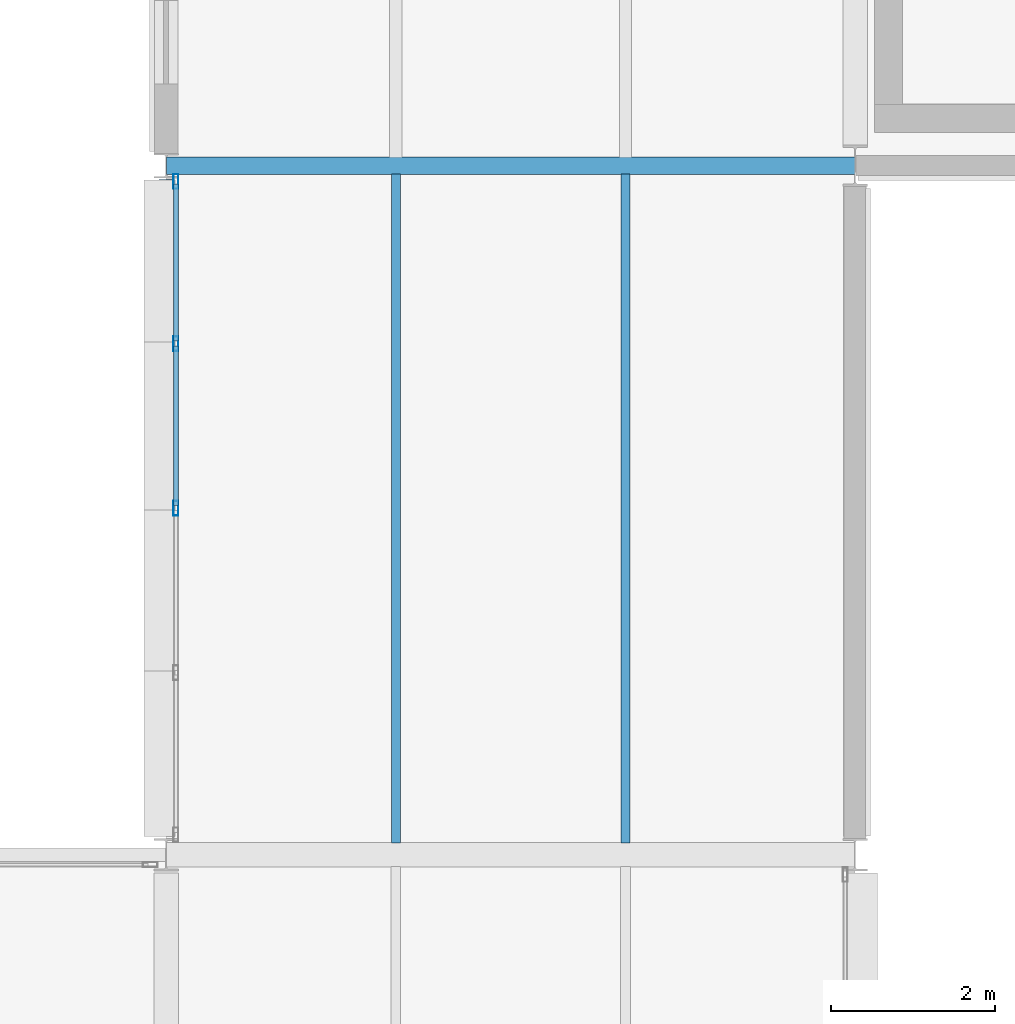
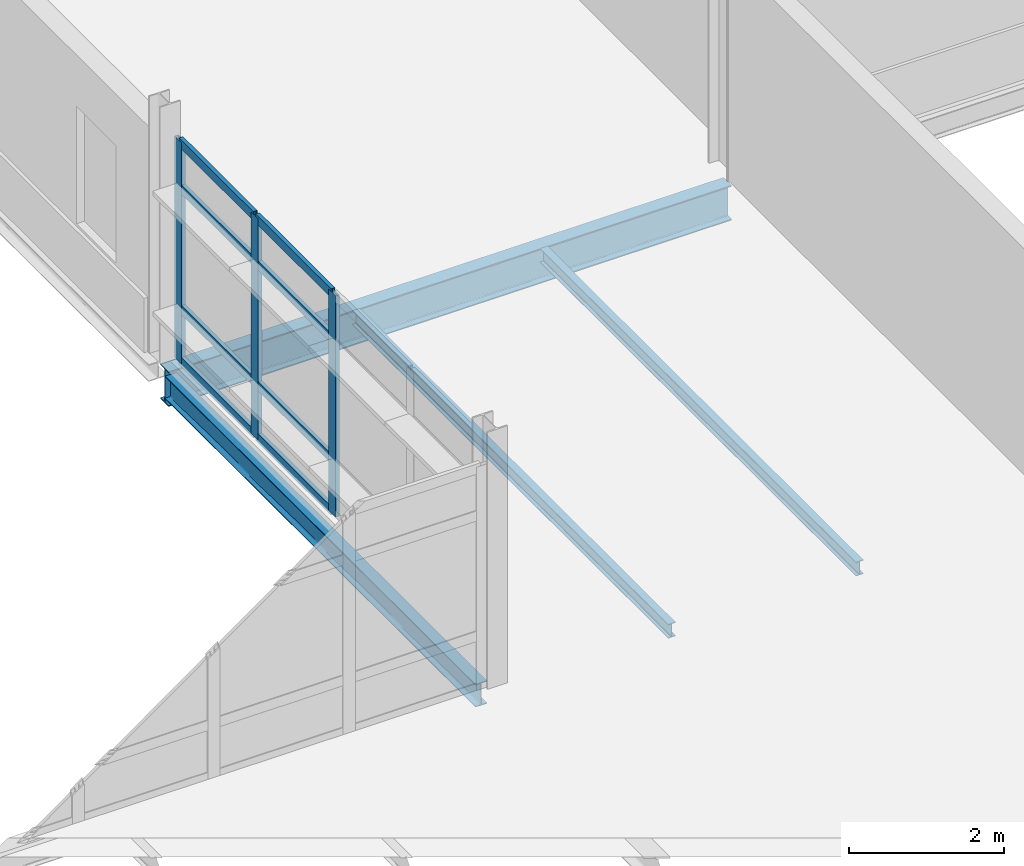
# One storey, part 48 of 151: 11 members, 4 beams, 1 element without a shape of its own.
"""IFC4 building model written with IfcOpenShell, lengths in metres."""

from ifc_helpers import new_model, si_unit, direction, frame, origin, origin_2d, place, context, subcontext, project, spatial, hollow_rectangle, i_section, extrude, material, material_profile, profile_set, type_object, element, aggregate, save


model = new_model("IFC4")

# Units and contexts
model_context = context("Model", 3, precision=1e-05, world=origin(), true_north=direction((0.0, 1.0)))
body_context = subcontext(model_context, "Body", "Model", "MODEL_VIEW")
ifc_project = project(units=[si_unit("LENGTHUNIT", "METRE"), si_unit("AREAUNIT", "SQUARE_METRE"), si_unit("VOLUMEUNIT", "CUBIC_METRE"), si_unit("PLANEANGLEUNIT", "RADIAN"), si_unit("MASSUNIT", "GRAM", prefix="KILO")], contexts=[model_context])

# Site, building, storey
site_placement = place(None, origin())
site = spatial("IfcSite", under=ifc_project, at=site_placement, CompositionType="ELEMENT")
building_placement = place(site_placement, origin())
building = spatial("IfcBuilding", under=site, at=building_placement, Name="Mersafa Astral City Hall", CompositionType="ELEMENT")
storey_placement = place(building_placement, frame((0.0, 0.0, 9.89990234375)))
storey = spatial("IfcBuildingStorey", under=building, at=storey_placement, Name="L02", CompositionType="ELEMENT", Elevation=9.89990234375)

# Curtain wall, members
ifc_material_1 = material(Name="Anodised bronze aluminium framing", Category="aluminium")
curtain_wall_type = type_object("IfcCurtainWallType", Name="ENV-CW-6", PredefinedType="USERDEFINED", material=ifc_material_1)
curtain_wall_placement = place(storey_placement, origin())
curtain_wall = element("IfcCurtainWall", 1, at=curtain_wall_placement, inside=storey, type_object=curtain_wall_type, Name="L02 Unitised solar curtain wall 131", ObjectType="UNITISED CURTAIN WALL", PredefinedType="USERDEFINED")
ifc_material_profile_1 = material_profile(ifc_material_1, hollow_rectangle(XDim=0.06005859375, YDim=0.179931640625, WallThickness=0.00390625, at=origin_2d()), Name="RHS 60x180x4")
ifc_profile_set_1 = profile_set([ifc_material_profile_1], Name="Anodised bronze aluminium framing")
member_type_1 = type_object("IfcMemberType", Name="ENV-CW-MUL-1", PredefinedType="MULLION", material=ifc_profile_set_1)
member_1_placement = place(storey_placement, frame((33.719970703125, 109.008056640625, -0.001953125), z_axis=(0.0, 0.0, 1.0), x_axis=(1.0, 0.0, 0.0)))
member_1 = element("IfcMember", 2, at=member_1_placement, type_object=member_type_1, Name="CW-6 mullion 1", PredefinedType="MULLION", context=body_context, shape_type="SweptSolid", body=[
    extrude(hollow_rectangle(XDim=0.06005859375, YDim=0.179931640625, WallThickness=0.00390625, at=origin_2d()), origin(), (0.0, 0.0, 1.0), 3.489013671875),
])
member_2_placement = place(storey_placement, frame((33.719970703125, 107.031494140625, -0.001953125), z_axis=(0.0, 0.0, 1.0), x_axis=(1.0, 0.0, 0.0)))
member_2 = element("IfcMember", 3, at=member_2_placement, type_object=member_type_1, Name="CW-6 mullion 2", PredefinedType="MULLION", context=body_context, shape_type="SweptSolid", body=[
    extrude(hollow_rectangle(XDim=0.06005859375, YDim=0.179931640625, WallThickness=0.00390625, at=origin_2d()), origin(), (0.0, 0.0, 1.0), 3.489013671875),
])
member_3_placement = place(storey_placement, frame((33.719970703125, 105.02490234375, -0.001953125), z_axis=(0.0, 0.0, 1.0), x_axis=(1.0, 0.0, 0.0)))
member_3 = element("IfcMember", 4, at=member_3_placement, type_object=member_type_1, Name="CW-6 mullion 3", PredefinedType="MULLION", context=body_context, shape_type="SweptSolid", body=[
    extrude(hollow_rectangle(XDim=0.06005859375, YDim=0.179931640625, WallThickness=0.00390625, at=origin_2d()), origin(), (0.0, 0.0, 1.0), 3.489013671875),
])
ifc_material_profile_2 = material_profile(ifc_material_1, hollow_rectangle(XDim=0.06005859375, YDim=0.139892578125, WallThickness=0.00390625, at=origin_2d()), Name="RHS 60x140x4")
ifc_profile_set_2 = profile_set([ifc_material_profile_2], Name="Anodised bronze aluminium framing")
member_type_2 = type_object("IfcMemberType", Name="ENV-CW-TRN-1", PredefinedType="USERDEFINED", material=ifc_profile_set_2)
member_4_placement = place(storey_placement, frame((33.719970703125, 108.97802734375, 0.028076171875), z_axis=(0.0, -1.0, 0.0), x_axis=(1.0, 0.0, 0.0)))
member_4 = element("IfcMember", 5, at=member_4_placement, type_object=member_type_2, Name="CW-6 transom 1.1", ObjectType="TRANSOM", PredefinedType="USERDEFINED", context=body_context, shape_type="SweptSolid", body=[
    extrude(hollow_rectangle(XDim=0.06005859375, YDim=0.139892578125, WallThickness=0.00390625, at=origin_2d()), origin(), (0.0, 0.0, 1.0), 1.91650390625),
])
member_5_placement = place(storey_placement, frame((33.719970703125, 108.97802734375, 0.85009765625), z_axis=(0.0, -1.0, 0.0), x_axis=(1.0, 0.0, 0.0)))
member_5 = element("IfcMember", 6, at=member_5_placement, type_object=member_type_2, Name="CW-6 transom 1.2", ObjectType="TRANSOM", PredefinedType="USERDEFINED", context=body_context, shape_type="SweptSolid", body=[
    extrude(hollow_rectangle(XDim=0.06005859375, YDim=0.139892578125, WallThickness=0.00390625, at=origin_2d()), origin(), (0.0, 0.0, 1.0), 1.91650390625),
])
member_6_placement = place(storey_placement, frame((33.719970703125, 108.97802734375, 2.75), z_axis=(0.0, -1.0, 0.0), x_axis=(1.0, 0.0, 0.0)))
member_6 = element("IfcMember", 7, at=member_6_placement, type_object=member_type_2, Name="CW-6 transom 1.3", ObjectType="TRANSOM", PredefinedType="USERDEFINED", context=body_context, shape_type="SweptSolid", body=[
    extrude(hollow_rectangle(XDim=0.06005859375, YDim=0.139892578125, WallThickness=0.00390625, at=origin_2d()), origin(), (0.0, 0.0, 1.0), 1.91650390625),
])
member_7_placement = place(storey_placement, frame((33.719970703125, 108.97802734375, 3.45703125), z_axis=(0.0, -1.0, 0.0), x_axis=(1.0, 0.0, 0.0)))
member_7 = element("IfcMember", 8, at=member_7_placement, type_object=member_type_2, Name="CW-6 transom 1.4", ObjectType="TRANSOM", PredefinedType="USERDEFINED", context=body_context, shape_type="SweptSolid", body=[
    extrude(hollow_rectangle(XDim=0.06005859375, YDim=0.139892578125, WallThickness=0.00390625, at=origin_2d()), origin(), (0.0, 0.0, 1.0), 1.91650390625),
])
member_8_placement = place(storey_placement, frame((33.719970703125, 107.00146484375, 0.028076171875), z_axis=(0.0, -1.0, 0.0), x_axis=(1.0, 0.0, 0.0)))
member_8 = element("IfcMember", 9, at=member_8_placement, type_object=member_type_2, Name="CW-6 transom 2.1", ObjectType="TRANSOM", PredefinedType="USERDEFINED", context=body_context, shape_type="SweptSolid", body=[
    extrude(hollow_rectangle(XDim=0.06005859375, YDim=0.139892578125, WallThickness=0.00390625, at=origin_2d()), origin(), (0.0, 0.0, 1.0), 1.946533203125),
])
member_9_placement = place(storey_placement, frame((33.719970703125, 107.00146484375, 0.85009765625), z_axis=(0.0, -1.0, 0.0), x_axis=(1.0, 0.0, 0.0)))
member_9 = element("IfcMember", 10, at=member_9_placement, type_object=member_type_2, Name="CW-6 transom 2.2", ObjectType="TRANSOM", PredefinedType="USERDEFINED", context=body_context, shape_type="SweptSolid", body=[
    extrude(hollow_rectangle(XDim=0.06005859375, YDim=0.139892578125, WallThickness=0.00390625, at=origin_2d()), origin(), (0.0, 0.0, 1.0), 1.946533203125),
])
member_10_placement = place(storey_placement, frame((33.719970703125, 107.00146484375, 2.75), z_axis=(0.0, -1.0, 0.0), x_axis=(1.0, 0.0, 0.0)))
member_10 = element("IfcMember", 11, at=member_10_placement, type_object=member_type_2, Name="CW-6 transom 2.3", ObjectType="TRANSOM", PredefinedType="USERDEFINED", context=body_context, shape_type="SweptSolid", body=[
    extrude(hollow_rectangle(XDim=0.06005859375, YDim=0.139892578125, WallThickness=0.00390625, at=origin_2d()), origin(), (0.0, 0.0, 1.0), 1.946533203125),
])
member_11_placement = place(storey_placement, frame((33.719970703125, 107.00146484375, 3.45703125), z_axis=(0.0, -1.0, 0.0), x_axis=(1.0, 0.0, 0.0)))
member_11 = element("IfcMember", 12, at=member_11_placement, type_object=member_type_2, Name="CW-6 transom 2.4", ObjectType="TRANSOM", PredefinedType="USERDEFINED", context=body_context, shape_type="SweptSolid", body=[
    extrude(hollow_rectangle(XDim=0.06005859375, YDim=0.139892578125, WallThickness=0.00390625, at=origin_2d()), origin(), (0.0, 0.0, 1.0), 1.946533203125),
])
aggregate(curtain_wall, [member_1, member_2, member_3, member_4, member_5, member_6, member_7, member_8, member_9, member_10, member_11])

# Beams
ifc_material_2 = material(Name="Steel S355", Category="steel")
ifc_material_profile_3 = material_profile(ifc_material_2, i_section(OverallWidth=0.2099609375, OverallDepth=0.550048828125, WebThickness=0.010986328125, FlangeThickness=0.01708984375, FilletRadius=0.02392578125, at=origin_2d()), Name="IPE 550")
ifc_profile_set_3 = profile_set([ifc_material_profile_3], Name="Steel S355")
beam_type_1 = type_object("IfcBeamType", Name="STR-BM-IPE550", PredefinedType="BEAM", material=ifc_profile_set_3)
beam_1_placement = place(storey_placement, frame((33.60302734375, 109.199951171875, -0.474853515625), z_axis=(1.0, 0.0, 0.0), x_axis=(0.0, 1.0, 0.0)))
element("IfcBeam", 13, at=beam_1_placement, inside=storey, type_object=beam_type_1, Name="L02 Primary girder X 4-13", PredefinedType="BEAM", context=body_context, shape_type="SweptSolid", body=[
    extrude(i_section(OverallWidth=0.2099609375, OverallDepth=0.550048828125, WebThickness=0.010986328125, FlangeThickness=0.01708984375, FilletRadius=0.02392578125, at=origin_2d()), origin(), (0.0, 0.0, 1.0), 8.39404296875),
])
ifc_material_profile_4 = material_profile(ifc_material_2, i_section(OverallWidth=0.110107421875, OverallDepth=0.219970703125, WebThickness=0.005859375, FlangeThickness=0.00927734375, FilletRadius=0.011962890625, at=origin_2d()), Name="IPE 220")
ifc_profile_set_4 = profile_set([ifc_material_profile_4], Name="Steel S355")
beam_type_2 = type_object("IfcBeamType", Name="STR-BM-JOIST-IPE220", PredefinedType="JOIST", material=ifc_profile_set_4)
for number, where, z_axis, x_axis, name in (
    (14, (36.39990234375, 100.945068359375, -0.309814453125), (0.0, 1.0, 0.0), (-1.0, 0.0, 0.0), "L02 Composite secondary floor joist 416"),
    (15, (39.199951171875, 100.945068359375, -0.309814453125), (0.0, 1.0, 0.0), (-1.0, 0.0, 0.0), "L02 Composite secondary floor joist 417"),
):
    element("IfcBeam", number, at=place(storey_placement, frame(where, z_axis=z_axis, x_axis=x_axis)), inside=storey, type_object=beam_type_2, Name=name, PredefinedType="JOIST", context=body_context, shape_type="SweptSolid", body=[
        extrude(i_section(OverallWidth=0.110107421875, OverallDepth=0.219970703125, WebThickness=0.005859375, FlangeThickness=0.00927734375, FilletRadius=0.011962890625, at=origin_2d()), origin(), (0.0, 0.0, 1.0), 8.155029296875),
    ])
ifc_material_profile_5 = material_profile(ifc_material_2, i_section(OverallWidth=0.169921875, OverallDepth=0.360107421875, WebThickness=0.008056640625, FlangeThickness=0.0126953125, FilletRadius=0.01806640625, at=origin_2d()), Name="IPE 360")
ifc_profile_set_5 = profile_set([ifc_material_profile_5], Name="Steel S355")
beam_type_3 = type_object("IfcBeamType", Name="STR-BM-SPANDREL-IPE360", PredefinedType="SPANDREL", material=ifc_profile_set_5)
beam_2_placement = place(storey_placement, frame((33.60009765625, 101.02001953125, -0.3798828125), z_axis=(0.0, 1.0, 0.0), x_axis=(-1.0, 0.0, 0.0)))
element("IfcBeam", 16, at=beam_2_placement, inside=storey, type_object=beam_type_3, Name="L02 Primary girder Y 4-12", PredefinedType="SPANDREL", context=body_context, shape_type="SweptSolid", body=[
    extrude(i_section(OverallWidth=0.169921875, OverallDepth=0.360107421875, WebThickness=0.008056640625, FlangeThickness=0.0126953125, FilletRadius=0.01806640625, at=origin_2d()), origin(), (0.0, 0.0, 1.0), 8.014892578125),
])

save(model, "model.ifc")
